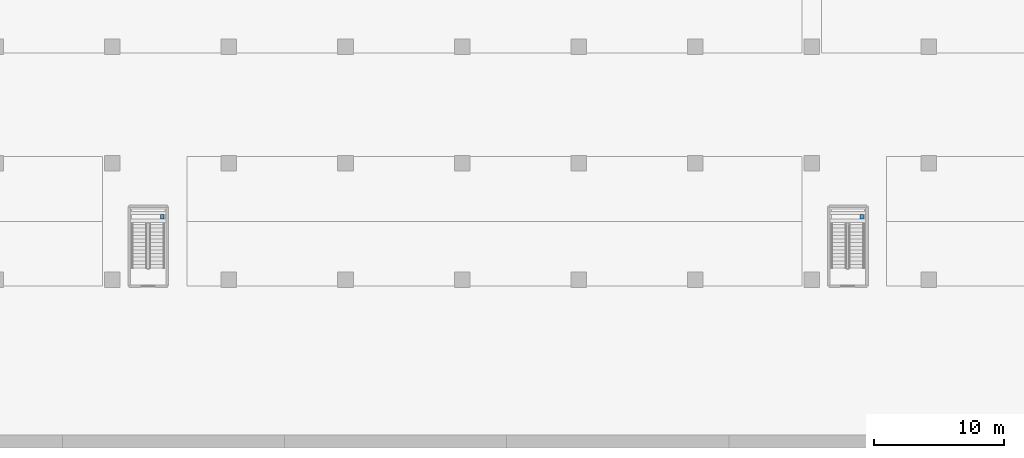
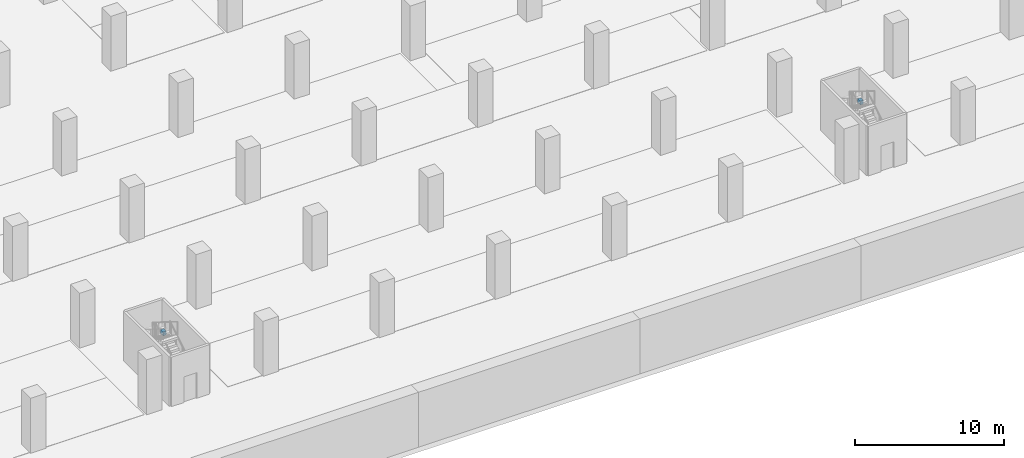
# One storey, part 3 of 34: 2 beams.
"""IFC4 building model written with IfcOpenShell, lengths in metres."""

from ifc_helpers import new_model, si_unit, direction, frame, origin, origin_2d, place, context, subcontext, project, spatial, rectangle, extrude, material, material_profile, profile_set, type_object, element, save


model = new_model("IFC4")

# Units and contexts
model_context = context("Model", 3, precision=1e-05, world=origin(), true_north=direction((0.0, 1.0)))
body_context = subcontext(model_context, "Body", "Model", "MODEL_VIEW")
ifc_project = project(units=[si_unit("LENGTHUNIT", "METRE"), si_unit("AREAUNIT", "SQUARE_METRE"), si_unit("VOLUMEUNIT", "CUBIC_METRE"), si_unit("PLANEANGLEUNIT", "RADIAN"), si_unit("MASSUNIT", "GRAM", prefix="KILO")], contexts=[model_context])

# Site, building, storey
site_placement = place(None, origin())
site = spatial("IfcSite", under=ifc_project, at=site_placement, CompositionType="ELEMENT")
building_placement = place(site_placement, origin())
building = spatial("IfcBuilding", under=site, at=building_placement, Name="Ogive Gate Towers", CompositionType="ELEMENT")
storey_placement = place(building_placement, frame((0.0, 0.0, -4.5)))
storey = spatial("IfcBuildingStorey", under=building, at=storey_placement, Name="B1", CompositionType="ELEMENT", Elevation=-4.5)

# Beams
ifc_material = material(Name="Concrete C40/50", Category="concrete")
ifc_material_profile = material_profile(ifc_material, rectangle(XDim=0.25, YDim=0.300048828125, at=origin_2d()), Name="RC 250x300")
ifc_profile_set = profile_set([ifc_material_profile], Name="Concrete C40/50")
beam_type = type_object("IfcBeamType", Name="Landing bearer RC 250x300 (stair)", PredefinedType="BEAM", material=ifc_profile_set)
for number, where, z_axis, x_axis, name in (
    (1, (-95.14990234375, -58.31494140625, 1.89990234375), (0.0, 1.0, 0.0), (-1.0, 0.0, 0.0), "CS5 B1 landing 1 bearer 3"),
    (2, (-41.14990234375, -58.31494140625, 1.89990234375), (0.0, 1.0, 0.0), (-1.0, 0.0, 0.0), "CS6 B1 landing 1 bearer 3"),
):
    element("IfcBeam", number, at=place(storey_placement, frame(where, z_axis=z_axis, x_axis=x_axis)), inside=storey, type_object=beam_type, Name=name, PredefinedType="BEAM", context=body_context, shape_type="SweptSolid", body=[
        extrude(rectangle(XDim=0.25, YDim=0.300048828125, at=origin_2d()), origin(), (0.0, 0.0, 1.0), 0.349853515625),
    ])

save(model, "model.ifc")
